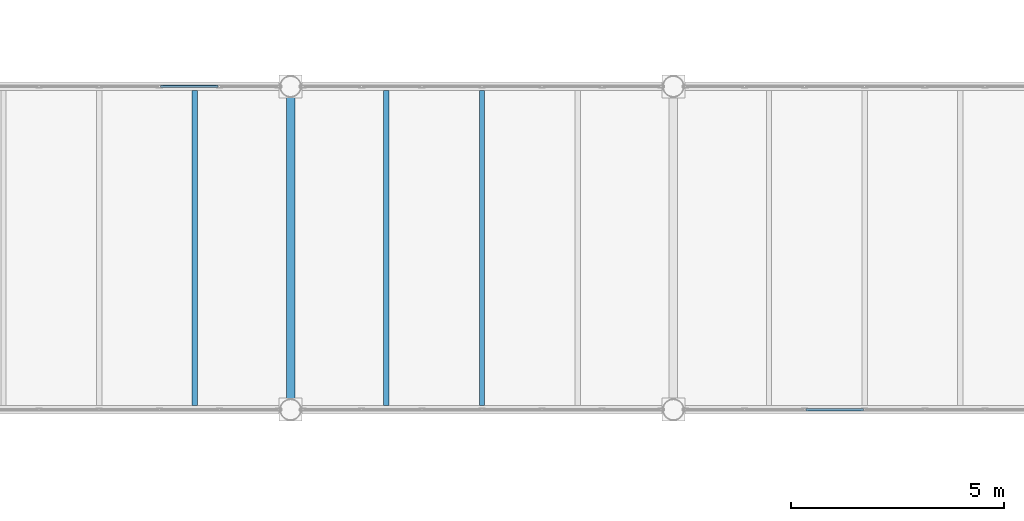
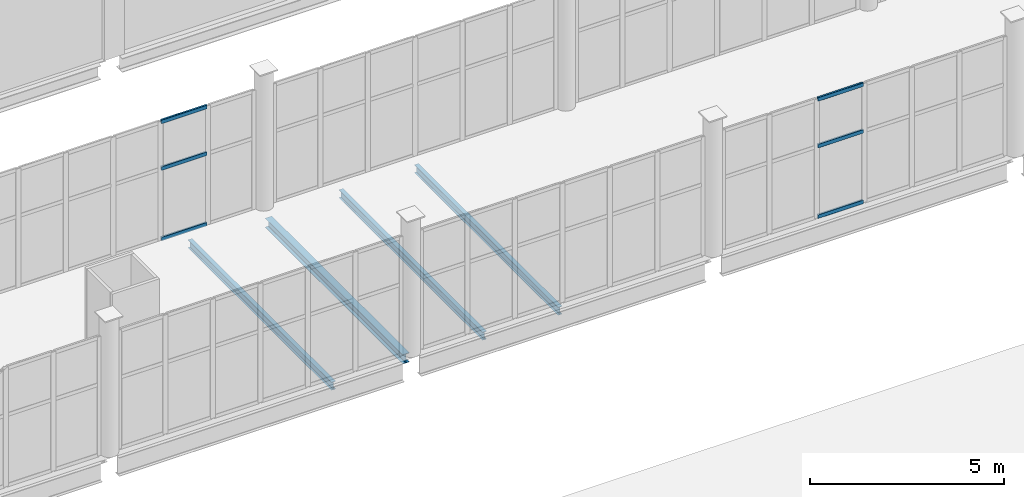
# One storey, part 81 of 136: 6 members, 4 beams, 2 elements without a shape of their own.
"""IFC4 building model written with IfcOpenShell, lengths in metres."""

from ifc_helpers import new_model, si_unit, direction, frame, origin, origin_2d, place, context, subcontext, project, spatial, hollow_rectangle, i_section, extrude, material, material_profile, profile_set, type_object, element, aggregate, save


model = new_model("IFC4")

# Units and contexts
model_context = context("Model", 3, precision=1e-05, world=origin(), true_north=direction((0.0, 1.0)))
body_context = subcontext(model_context, "Body", "Model", "MODEL_VIEW")
ifc_project = project(units=[si_unit("LENGTHUNIT", "METRE"), si_unit("AREAUNIT", "SQUARE_METRE"), si_unit("VOLUMEUNIT", "CUBIC_METRE"), si_unit("PLANEANGLEUNIT", "RADIAN"), si_unit("MASSUNIT", "GRAM", prefix="KILO")], contexts=[model_context])

# Site, building, storey
site_placement = place(None, origin())
site = spatial("IfcSite", under=ifc_project, at=site_placement, CompositionType="ELEMENT")
building_placement = place(site_placement, origin())
building = spatial("IfcBuilding", under=site, at=building_placement, Name="Shengluoqiao Park Theatre", CompositionType="ELEMENT")
storey_placement = place(building_placement, frame((0.0, 0.0, 10.0)))
storey = spatial("IfcBuildingStorey", under=building, at=storey_placement, Name="L02", CompositionType="ELEMENT", Elevation=10.0)

# Curtain wall, members
ifc_material_1 = material(Name="Aluminium 6063-T6", Category="aluminium")
curtain_wall_type = type_object("IfcCurtainWallType", Name="ENV-CW-BRIDGE", PredefinedType="NOTDEFINED", material=ifc_material_1)
curtain_wall_1_placement = place(storey_placement, origin())
curtain_wall_1 = element("IfcCurtainWall", 1, at=curtain_wall_1_placement, inside=storey, type_object=curtain_wall_type, Name="L02 Curtain Wall CWX-L02-0113", PredefinedType="NOTDEFINED")
ifc_material_profile_1 = material_profile(ifc_material_1, hollow_rectangle(XDim=0.06005859375, YDim=0.1201171875, WallThickness=0.00390625, InnerFilletRadius=0.00390625, OuterFilletRadius=0.008056640625, at=origin_2d()), Name="ALU TRANSOM 120x60x4")
ifc_profile_set_1 = profile_set([ifc_material_profile_1], Name="Aluminium 6063-T6")
member_type = type_object("IfcMemberType", Name="ENV-TRN-120", PredefinedType="USERDEFINED", material=ifc_profile_set_1)
member_1_placement = place(storey_placement, frame((142.51611328125, 68.39990234375, 0.030029296875), z_axis=(1.0, 0.0, 0.0), x_axis=(0.0, 1.0, 0.0)))
member_1 = element("IfcMember", 2, at=member_1_placement, type_object=member_type, Name="CW-03 transom 3.1", ObjectType="TRANSOM", PredefinedType="USERDEFINED", context=body_context, shape_type="SweptSolid", body=[
    extrude(hollow_rectangle(XDim=0.06005859375, YDim=0.1201171875, WallThickness=0.00390625, InnerFilletRadius=0.00390625, OuterFilletRadius=0.008056640625, at=origin_2d()), origin(), (0.0, 0.0, 1.0), 1.35400390625),
])
member_2_placement = place(storey_placement, frame((142.51611328125, 68.39990234375, 2.2509765625), z_axis=(1.0, 0.0, 0.0), x_axis=(0.0, 1.0, 0.0)))
member_2 = element("IfcMember", 3, at=member_2_placement, type_object=member_type, Name="CW-03 transom 3.2", ObjectType="TRANSOM", PredefinedType="USERDEFINED", context=body_context, shape_type="SweptSolid", body=[
    extrude(hollow_rectangle(XDim=0.06005859375, YDim=0.1201171875, WallThickness=0.00390625, InnerFilletRadius=0.00390625, OuterFilletRadius=0.008056640625, at=origin_2d()), origin(), (0.0, 0.0, 1.0), 1.35400390625),
])
member_3_placement = place(storey_placement, frame((142.51611328125, 68.39990234375, 3.721923828125), z_axis=(1.0, 0.0, 0.0), x_axis=(0.0, 1.0, 0.0)))
member_3 = element("IfcMember", 4, at=member_3_placement, type_object=member_type, Name="CW-03 transom 3.3", ObjectType="TRANSOM", PredefinedType="USERDEFINED", context=body_context, shape_type="SweptSolid", body=[
    extrude(hollow_rectangle(XDim=0.06005859375, YDim=0.1201171875, WallThickness=0.00390625, InnerFilletRadius=0.00390625, OuterFilletRadius=0.008056640625, at=origin_2d()), origin(), (0.0, 0.0, 1.0), 1.35400390625),
])
aggregate(curtain_wall_1, [member_1, member_2, member_3])

curtain_wall_2_placement = place(storey_placement, origin())
curtain_wall_2 = element("IfcCurtainWall", 5, at=curtain_wall_2_placement, inside=storey, type_object=curtain_wall_type, Name="L02 Curtain Wall CWX-L02-0119", PredefinedType="NOTDEFINED")
member_4_placement = place(storey_placement, frame((127.343994140625, 76.0, 0.030029296875), z_axis=(1.0, 0.0, 0.0), x_axis=(0.0, 1.0, 0.0)))
member_4 = element("IfcMember", 6, at=member_4_placement, type_object=member_type, Name="CW-03 transom 5.1", ObjectType="TRANSOM", PredefinedType="USERDEFINED", context=body_context, shape_type="SweptSolid", body=[
    extrude(hollow_rectangle(XDim=0.06005859375, YDim=0.1201171875, WallThickness=0.00390625, InnerFilletRadius=0.00390625, OuterFilletRadius=0.008056640625, at=origin_2d()), origin(), (0.0, 0.0, 1.0), 1.35400390625),
])
member_5_placement = place(storey_placement, frame((127.343994140625, 76.0, 2.2509765625), z_axis=(1.0, 0.0, 0.0), x_axis=(0.0, 1.0, 0.0)))
member_5 = element("IfcMember", 7, at=member_5_placement, type_object=member_type, Name="CW-03 transom 5.2", ObjectType="TRANSOM", PredefinedType="USERDEFINED", context=body_context, shape_type="SweptSolid", body=[
    extrude(hollow_rectangle(XDim=0.06005859375, YDim=0.1201171875, WallThickness=0.00390625, InnerFilletRadius=0.00390625, OuterFilletRadius=0.008056640625, at=origin_2d()), origin(), (0.0, 0.0, 1.0), 1.35400390625),
])
member_6_placement = place(storey_placement, frame((127.343994140625, 76.0, 3.721923828125), z_axis=(1.0, 0.0, 0.0), x_axis=(0.0, 1.0, 0.0)))
member_6 = element("IfcMember", 8, at=member_6_placement, type_object=member_type, Name="CW-03 transom 5.3", ObjectType="TRANSOM", PredefinedType="USERDEFINED", context=body_context, shape_type="SweptSolid", body=[
    extrude(hollow_rectangle(XDim=0.06005859375, YDim=0.1201171875, WallThickness=0.00390625, InnerFilletRadius=0.00390625, OuterFilletRadius=0.008056640625, at=origin_2d()), origin(), (0.0, 0.0, 1.0), 1.35400390625),
])
aggregate(curtain_wall_2, [member_4, member_5, member_6])

# Beams
ifc_material_2 = material(Name="Steel Q355", Category="steel")
ifc_material_profile_2 = material_profile(ifc_material_2, i_section(OverallWidth=0.199951171875, OverallDepth=0.2939453125, WebThickness=0.008056640625, FlangeThickness=0.011962890625, FilletRadius=0.01611328125, at=origin_2d()), Name="HM 294x200x8x12")
ifc_profile_set_2 = profile_set([ifc_material_profile_2], Name="Steel Q355")
beam_type_1 = type_object("IfcBeamType", Name="STR-BM-G-HM294", PredefinedType="BEAM", material=ifc_profile_set_2)
beam_placement = place(storey_placement, frame((130.39990234375, 68.64794921875, -0.35693359375), z_axis=(0.0, 1.0, 0.0), x_axis=(-1.0, 0.0, 0.0)))
element("IfcBeam", 9, at=beam_placement, inside=storey, type_object=beam_type_1, Name="L02 Transverse Girder 01025", PredefinedType="BEAM", context=body_context, shape_type="SweptSolid", body=[
    extrude(i_section(OverallWidth=0.199951171875, OverallDepth=0.2939453125, WebThickness=0.008056640625, FlangeThickness=0.011962890625, FilletRadius=0.01611328125, at=origin_2d()), origin(), (0.0, 0.0, 1.0), 7.10400390625),
])
ifc_material_profile_3 = material_profile(ifc_material_2, i_section(OverallWidth=0.125, OverallDepth=0.25, WebThickness=0.006103515625, FlangeThickness=0.009033203125, FilletRadius=0.010009765625, at=origin_2d()), Name="HN 250x125x6x9")
ifc_profile_set_3 = profile_set([ifc_material_profile_3], Name="Steel Q355")
beam_type_2 = type_object("IfcBeamType", Name="STR-BM-J-HN250", PredefinedType="JOIST", material=ifc_profile_set_3)
for number, where, z_axis, x_axis, name in (
    (10, (128.14990234375, 68.494384765625, -0.3349609375), (0.0, 1.0, 0.0), (-1.0, 0.0, 0.0), "L02 Composite Joist 01043"),
    (11, (132.64990234375, 68.494384765625, -0.3349609375), (0.0, 1.0, 0.0), (-1.0, 0.0, 0.0), "L02 Composite Joist 01044"),
    (12, (134.89990234375, 68.494384765625, -0.3349609375), (0.0, 1.0, 0.0), (-1.0, 0.0, 0.0), "L02 Composite Joist 01045"),
):
    element("IfcBeam", number, at=place(storey_placement, frame(where, z_axis=z_axis, x_axis=x_axis)), inside=storey, type_object=beam_type_2, Name=name, PredefinedType="JOIST", context=body_context, shape_type="SweptSolid", body=[
        extrude(i_section(OverallWidth=0.125, OverallDepth=0.25, WebThickness=0.006103515625, FlangeThickness=0.009033203125, FilletRadius=0.010009765625, at=origin_2d()), origin(), (0.0, 0.0, 1.0), 7.4111328125),
    ])

save(model, "model.ifc")
